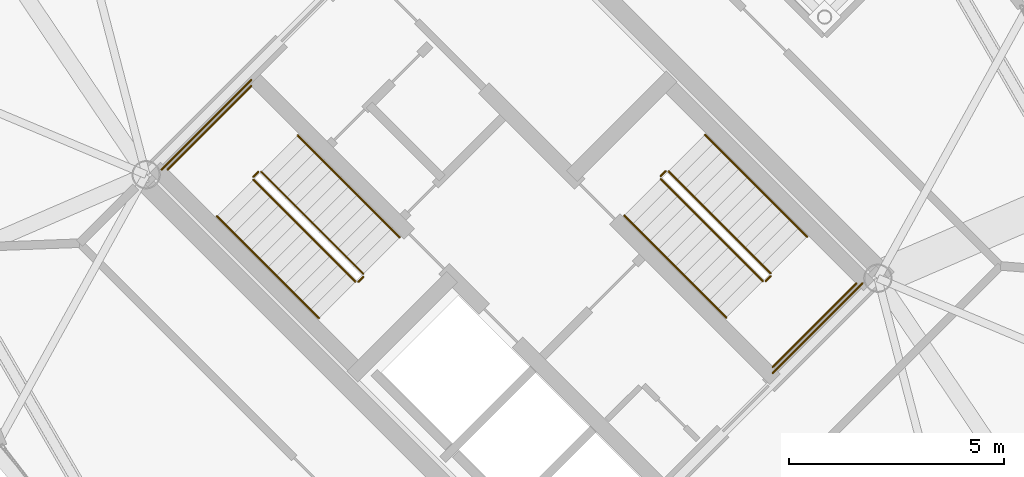
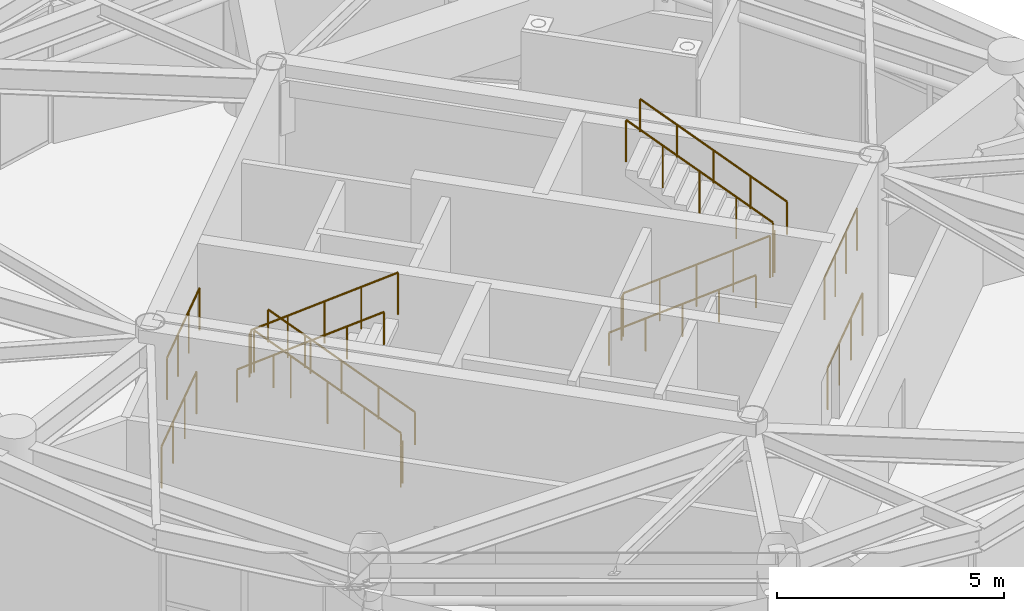
# One storey, part 28 of 28: 16 railings.
"""IFC4 building model written with IfcOpenShell, lengths in metres."""

from ifc_helpers import new_model, si_unit, direction, frame, origin, origin_2d, place, context, subcontext, project, spatial, circle, extrude, material, type_object, element, save


model = new_model("IFC4")

# Units and contexts
model_context = context("Model", 3, precision=1e-05, world=origin(), true_north=direction((0.0, 1.0)))
body_context = subcontext(model_context, "Body", "Model", "MODEL_VIEW")
ifc_project = project(units=[si_unit("LENGTHUNIT", "METRE"), si_unit("AREAUNIT", "SQUARE_METRE"), si_unit("VOLUMEUNIT", "CUBIC_METRE"), si_unit("PLANEANGLEUNIT", "RADIAN"), si_unit("MASSUNIT", "GRAM", prefix="KILO")], contexts=[model_context])

# Site, building, storey
site_placement = place(None, origin())
site = spatial("IfcSite", under=ifc_project, at=site_placement, CompositionType="ELEMENT")
building_placement = place(site_placement, origin())
building = spatial("IfcBuilding", under=site, at=building_placement, Name="Cununo Teusaquillo Station Towers", CompositionType="ELEMENT")
storey_placement = place(building_placement, frame((0.0, 0.0, 235.64990234375)))
storey = spatial("IfcBuildingStorey", under=building, at=storey_placement, Name="L75", CompositionType="ELEMENT", Elevation=235.64990234375)

# Railings
ifc_material_1 = material(Name="Steel EN 10025-2 S355J2", Category="steel")
railing_type_1 = type_object("IfcRailingType", Name="RL-INT-GUARD", PredefinedType="GUARDRAIL", material=ifc_material_1)
railing_1_placement = place(storey_placement, frame((54.03515625, 23.39697265625, 0.18017578125)))
element("IfcRailing", 1, at=railing_1_placement, inside=storey, type_object=railing_type_1, Name="L75 ST-T2-1 stair guard 1", PredefinedType="GUARDRAIL", context=body_context, shape_type="SweptSolid", body=[
    extrude(circle(Radius=0.02392578125, at=origin_2d()), frame((0.0, 0.0, 1.1259765625), z_axis=(-0.594799366365, 0.594799366365, 0.540765593899), x_axis=(-0.707106781187, -0.707106781187, 0.0)), (0.0, 0.0, 1.0), 3.994140625),
    extrude(circle(Radius=0.02099609375, at=origin_2d()), origin(), (0.0, 0.0, 1.0), 1.101806640625),
    extrude(circle(Radius=0.02099609375, at=origin_2d()), frame((-0.593994140625, 0.593994140625, 0.5400390625)), (0.0, 0.0, 1.0), 1.101806640625),
    extrude(circle(Radius=0.02099609375, at=origin_2d()), frame((-1.18798828125, 1.18798828125, 1.080078125)), (0.0, 0.0, 1.0), 1.101806640625),
    extrude(circle(Radius=0.02099609375, at=origin_2d()), frame((-1.78173828125, 1.78173828125, 1.619873046875)), (0.0, 0.0, 1.0), 1.101806640625),
    extrude(circle(Radius=0.02099609375, at=origin_2d()), frame((-2.375732421875, 2.375732421875, 2.159912109375)), (0.0, 0.0, 1.0), 1.101806640625),
])
railing_2_placement = place(storey_placement, frame((51.588623046875, 25.772705078125, 2.340087890625)))
element("IfcRailing", 2, at=railing_2_placement, inside=storey, type_object=railing_type_1, Name="L75 ST-T2-1 stair guard 2", PredefinedType="GUARDRAIL", context=body_context, shape_type="SweptSolid", body=[
    extrude(circle(Radius=0.02392578125, at=origin_2d()), frame((0.0, 0.0, 1.1259765625), z_axis=(-0.707106781187, -0.707106781187, 0.0), x_axis=(0.707106781187, -0.707106781187, 0.0)), (0.0, 0.0, 1.0), 0.159912109375),
    extrude(circle(Radius=0.02099609375, at=origin_2d()), origin(), (0.0, 0.0, 1.0), 1.101806640625),
    extrude(circle(Radius=0.02099609375, at=origin_2d()), frame((-0.113037109375, -0.113037109375, 0.0)), (0.0, 0.0, 1.0), 1.101806640625),
])
railing_3_placement = place(storey_placement, frame((51.426025390625, 27.77392578125, 2.340087890625)))
element("IfcRailing", 3, at=railing_3_placement, inside=storey, type_object=railing_type_1, Name="L75 ST-T2-1 stair guard 3", PredefinedType="GUARDRAIL", context=body_context, shape_type="SweptSolid", body=[
    extrude(circle(Radius=0.02392578125, at=origin_2d()), frame((0.0, 0.0, 1.1259765625), z_axis=(-0.707106781187, -0.707106781187, 0.0), x_axis=(0.707106781187, -0.707106781187, 0.0)), (0.0, 0.0, 1.0), 2.760009765625),
    extrude(circle(Radius=0.02099609375, at=origin_2d()), origin(), (0.0, 0.0, 1.0), 1.101806640625),
    extrude(circle(Radius=0.02099609375, at=origin_2d()), frame((-0.650634765625, -0.650634765625, 0.0)), (0.0, 0.0, 1.0), 1.101806640625),
    extrude(circle(Radius=0.02099609375, at=origin_2d()), frame((-1.301025390625, -1.301025390625, 0.0)), (0.0, 0.0, 1.0), 1.101806640625),
    extrude(circle(Radius=0.02099609375, at=origin_2d()), frame((-1.95166015625, -1.95166015625, 0.0)), (0.0, 0.0, 1.0), 1.101806640625),
])
railing_4_placement = place(storey_placement, frame((51.4755859375, 25.5888671875, 2.52001953125)))
element("IfcRailing", 4, at=railing_4_placement, inside=storey, type_object=railing_type_1, Name="L75 ST-T2-1 stair guard 4", PredefinedType="GUARDRAIL", context=body_context, shape_type="SweptSolid", body=[
    extrude(circle(Radius=0.02392578125, at=origin_2d()), frame((0.0, 0.0, 1.1259765625), z_axis=(0.594779705818, -0.594779705818, 0.540808841545), x_axis=(0.707106781187, 0.707106781187, 0.0)), (0.0, 0.0, 1.0), 3.994384765625),
    extrude(circle(Radius=0.02099609375, at=origin_2d()), origin(), (0.0, 0.0, 1.0), 1.101806640625),
    extrude(circle(Radius=0.02099609375, at=origin_2d()), frame((0.593994140625, -0.593994140625, 0.5400390625)), (0.0, 0.0, 1.0), 1.101806640625),
    extrude(circle(Radius=0.02099609375, at=origin_2d()), frame((1.18798828125, -1.18798828125, 1.080078125)), (0.0, 0.0, 1.0), 1.101806640625),
    extrude(circle(Radius=0.02099609375, at=origin_2d()), frame((1.78173828125, -1.78173828125, 1.6201171875)), (0.0, 0.0, 1.0), 1.101806640625),
    extrude(circle(Radius=0.02099609375, at=origin_2d()), frame((2.375732421875, -2.375732421875, 2.16015625)), (0.0, 0.0, 1.0), 1.101806640625),
])
railing_5_placement = place(storey_placement, frame((54.03515625, 23.326171875, 0.0)))
element("IfcRailing", 5, at=railing_5_placement, inside=storey, type_object=railing_type_1, Name="L75 ST-T2-1 stair guard 5", PredefinedType="GUARDRAIL", context=body_context, shape_type="SweptSolid", body=[
    extrude(circle(Radius=0.02392578125, at=origin_2d()), frame((0.0, 0.0, 1.1259765625), z_axis=(-0.707106781187, -0.707106781187, 0.0), x_axis=(0.707106781187, -0.707106781187, 0.0)), (0.0, 0.0, 1.0), 0.159912109375),
    extrude(circle(Radius=0.02099609375, at=origin_2d()), origin(), (0.0, 0.0, 1.0), 1.101806640625),
    extrude(circle(Radius=0.02099609375, at=origin_2d()), frame((-0.113037109375, -0.113037109375, 0.0)), (0.0, 0.0, 1.0), 1.101806640625),
])
railing_6_placement = place(storey_placement, frame((51.426025390625, 27.915283203125, 0.0)))
element("IfcRailing", 6, at=railing_6_placement, inside=storey, type_object=railing_type_1, Name="L75 ST-T2-1 stair guard 6", PredefinedType="GUARDRAIL", context=body_context, shape_type="SweptSolid", body=[
    extrude(circle(Radius=0.02392578125, at=origin_2d()), frame((0.0, 0.0, 1.1259765625), z_axis=(-0.707106781187, -0.707106781187, 0.0), x_axis=(0.707106781187, -0.707106781187, 0.0)), (0.0, 0.0, 1.0), 2.9599609375),
    extrude(circle(Radius=0.02099609375, at=origin_2d()), origin(), (0.0, 0.0, 1.0), 1.101806640625),
    extrude(circle(Radius=0.02099609375, at=origin_2d()), frame((-0.69775390625, -0.69775390625, 0.0)), (0.0, 0.0, 1.0), 1.101806640625),
    extrude(circle(Radius=0.02099609375, at=origin_2d()), frame((-1.395263671875, -1.395263671875, 0.0)), (0.0, 0.0, 1.0), 1.101806640625),
    extrude(circle(Radius=0.02099609375, at=origin_2d()), frame((-2.093017578125, -2.093017578125, 0.0)), (0.0, 0.0, 1.0), 1.101806640625),
])
railing_7_placement = place(storey_placement, frame((60.96484375, 25.60302734375, 0.18017578125)))
element("IfcRailing", 7, at=railing_7_placement, inside=storey, type_object=railing_type_1, Name="L75 ST-T2-2 stair guard 1", PredefinedType="GUARDRAIL", context=body_context, shape_type="SweptSolid", body=[
    extrude(circle(Radius=0.02392578125, at=origin_2d()), frame((0.0, 0.0, 1.1259765625), z_axis=(0.594799366365, -0.594799366365, 0.540765593899), x_axis=(0.707106781187, 0.707106781187, 0.0)), (0.0, 0.0, 1.0), 3.994140625),
    extrude(circle(Radius=0.02099609375, at=origin_2d()), origin(), (0.0, 0.0, 1.0), 1.101806640625),
    extrude(circle(Radius=0.02099609375, at=origin_2d()), frame((0.593994140625, -0.593994140625, 0.5400390625)), (0.0, 0.0, 1.0), 1.101806640625),
    extrude(circle(Radius=0.02099609375, at=origin_2d()), frame((1.18798828125, -1.18798828125, 1.080078125)), (0.0, 0.0, 1.0), 1.101806640625),
    extrude(circle(Radius=0.02099609375, at=origin_2d()), frame((1.78173828125, -1.78173828125, 1.619873046875)), (0.0, 0.0, 1.0), 1.101806640625),
    extrude(circle(Radius=0.02099609375, at=origin_2d()), frame((2.375732421875, -2.375732421875, 2.159912109375)), (0.0, 0.0, 1.0), 1.101806640625),
])
railing_8_placement = place(storey_placement, frame((63.411376953125, 23.227294921875, 2.340087890625)))
element("IfcRailing", 8, at=railing_8_placement, inside=storey, type_object=railing_type_1, Name="L75 ST-T2-2 stair guard 2", PredefinedType="GUARDRAIL", context=body_context, shape_type="SweptSolid", body=[
    extrude(circle(Radius=0.02392578125, at=origin_2d()), frame((0.0, 0.0, 1.1259765625), z_axis=(0.707106781187, 0.707106781187, 0.0), x_axis=(-0.707106781187, 0.707106781187, 0.0)), (0.0, 0.0, 1.0), 0.159912109375),
    extrude(circle(Radius=0.02099609375, at=origin_2d()), origin(), (0.0, 0.0, 1.0), 1.101806640625),
    extrude(circle(Radius=0.02099609375, at=origin_2d()), frame((0.113037109375, 0.113037109375, 0.0)), (0.0, 0.0, 1.0), 1.101806640625),
])
railing_9_placement = place(storey_placement, frame((63.573974609375, 21.22607421875, 2.340087890625)))
element("IfcRailing", 9, at=railing_9_placement, inside=storey, type_object=railing_type_1, Name="L75 ST-T2-2 stair guard 3", PredefinedType="GUARDRAIL", context=body_context, shape_type="SweptSolid", body=[
    extrude(circle(Radius=0.02392578125, at=origin_2d()), frame((0.0, 0.0, 1.1259765625), z_axis=(0.707106781187, 0.707106781187, 0.0), x_axis=(-0.707106781187, 0.707106781187, 0.0)), (0.0, 0.0, 1.0), 2.760009765625),
    extrude(circle(Radius=0.02099609375, at=origin_2d()), origin(), (0.0, 0.0, 1.0), 1.101806640625),
    extrude(circle(Radius=0.02099609375, at=origin_2d()), frame((0.650634765625, 0.650634765625, 0.0)), (0.0, 0.0, 1.0), 1.101806640625),
    extrude(circle(Radius=0.02099609375, at=origin_2d()), frame((1.301025390625, 1.301025390625, 0.0)), (0.0, 0.0, 1.0), 1.101806640625),
    extrude(circle(Radius=0.02099609375, at=origin_2d()), frame((1.95166015625, 1.95166015625, 0.0)), (0.0, 0.0, 1.0), 1.101806640625),
])
railing_10_placement = place(storey_placement, frame((63.5244140625, 23.4111328125, 2.52001953125)))
element("IfcRailing", 10, at=railing_10_placement, inside=storey, type_object=railing_type_1, Name="L75 ST-T2-2 stair guard 4", PredefinedType="GUARDRAIL", context=body_context, shape_type="SweptSolid", body=[
    extrude(circle(Radius=0.02392578125, at=origin_2d()), frame((0.0, 0.0, 1.1259765625), z_axis=(-0.594779705818, 0.594779705818, 0.540808841545), x_axis=(-0.707106781187, -0.707106781187, 0.0)), (0.0, 0.0, 1.0), 3.994384765625),
    extrude(circle(Radius=0.02099609375, at=origin_2d()), origin(), (0.0, 0.0, 1.0), 1.101806640625),
    extrude(circle(Radius=0.02099609375, at=origin_2d()), frame((-0.593994140625, 0.593994140625, 0.5400390625)), (0.0, 0.0, 1.0), 1.101806640625),
    extrude(circle(Radius=0.02099609375, at=origin_2d()), frame((-1.18798828125, 1.18798828125, 1.080078125)), (0.0, 0.0, 1.0), 1.101806640625),
    extrude(circle(Radius=0.02099609375, at=origin_2d()), frame((-1.78173828125, 1.78173828125, 1.6201171875)), (0.0, 0.0, 1.0), 1.101806640625),
    extrude(circle(Radius=0.02099609375, at=origin_2d()), frame((-2.375732421875, 2.375732421875, 2.16015625)), (0.0, 0.0, 1.0), 1.101806640625),
])
railing_11_placement = place(storey_placement, frame((60.96484375, 25.673828125, 0.0)))
element("IfcRailing", 11, at=railing_11_placement, inside=storey, type_object=railing_type_1, Name="L75 ST-T2-2 stair guard 5", PredefinedType="GUARDRAIL", context=body_context, shape_type="SweptSolid", body=[
    extrude(circle(Radius=0.02392578125, at=origin_2d()), frame((0.0, 0.0, 1.1259765625), z_axis=(0.707106781187, 0.707106781187, 0.0), x_axis=(-0.707106781187, 0.707106781187, 0.0)), (0.0, 0.0, 1.0), 0.159912109375),
    extrude(circle(Radius=0.02099609375, at=origin_2d()), origin(), (0.0, 0.0, 1.0), 1.101806640625),
    extrude(circle(Radius=0.02099609375, at=origin_2d()), frame((0.113037109375, 0.113037109375, 0.0)), (0.0, 0.0, 1.0), 1.101806640625),
])
railing_12_placement = place(storey_placement, frame((63.573974609375, 21.084716796875, 0.0)))
element("IfcRailing", 12, at=railing_12_placement, inside=storey, type_object=railing_type_1, Name="L75 ST-T2-2 stair guard 6", PredefinedType="GUARDRAIL", context=body_context, shape_type="SweptSolid", body=[
    extrude(circle(Radius=0.02392578125, at=origin_2d()), frame((0.0, 0.0, 1.1259765625), z_axis=(0.707106781187, 0.707106781187, 0.0), x_axis=(-0.707106781187, 0.707106781187, 0.0)), (0.0, 0.0, 1.0), 2.9599609375),
    extrude(circle(Radius=0.02099609375, at=origin_2d()), origin(), (0.0, 0.0, 1.0), 1.101806640625),
    extrude(circle(Radius=0.02099609375, at=origin_2d()), frame((0.69775390625, 0.69775390625, 0.0)), (0.0, 0.0, 1.0), 1.101806640625),
    extrude(circle(Radius=0.02099609375, at=origin_2d()), frame((1.395263671875, 1.395263671875, 0.0)), (0.0, 0.0, 1.0), 1.101806640625),
    extrude(circle(Radius=0.02099609375, at=origin_2d()), frame((2.093017578125, 2.093017578125, 0.0)), (0.0, 0.0, 1.0), 1.101806640625),
])
ifc_material_2 = material(Name="Steel EN 10025-2 S355J2", Category="steel")
railing_type_2 = type_object("IfcRailingType", Name="RL-INT-HRAIL", PredefinedType="HANDRAIL", material=ifc_material_2)
railing_13_placement = place(storey_placement, frame((54.8837890625, 24.245361328125, 0.18017578125)))
element("IfcRailing", 13, at=railing_13_placement, inside=storey, type_object=railing_type_2, Name="L75 ST-T2-1 stair handrail 1", PredefinedType="HANDRAIL", context=body_context, shape_type="SweptSolid", body=[
    extrude(circle(Radius=0.02392578125, at=origin_2d()), frame((0.0, 0.0, 0.8759765625), z_axis=(-0.594817238801, 0.594817238801, 0.540726275347), x_axis=(-0.707106781187, -0.707106781187, 0.0)), (0.0, 0.0, 1.0), 3.994384765625),
    extrude(circle(Radius=0.02099609375, at=origin_2d()), origin(), (0.0, 0.0, 1.0), 0.851806640625),
    extrude(circle(Radius=0.02099609375, at=origin_2d()), frame((-0.593994140625, 0.593994140625, 0.5400390625)), (0.0, 0.0, 1.0), 0.851806640625),
    extrude(circle(Radius=0.02099609375, at=origin_2d()), frame((-1.18798828125, 1.18798828125, 1.080078125)), (0.0, 0.0, 1.0), 0.851806640625),
    extrude(circle(Radius=0.02099609375, at=origin_2d()), frame((-1.781982421875, 1.781982421875, 1.619873046875)), (0.0, 0.0, 1.0), 0.851806640625),
    extrude(circle(Radius=0.02099609375, at=origin_2d()), frame((-2.3759765625, 2.3759765625, 2.159912109375)), (0.0, 0.0, 1.0), 0.851806640625),
])
railing_14_placement = place(storey_placement, frame((50.626953125, 24.740478515625, 2.52001953125)))
element("IfcRailing", 14, at=railing_14_placement, inside=storey, type_object=railing_type_2, Name="L75 ST-T2-1 stair handrail 2", PredefinedType="HANDRAIL", context=body_context, shape_type="SweptSolid", body=[
    extrude(circle(Radius=0.02392578125, at=origin_2d()), frame((0.0, 0.0, 0.8759765625), z_axis=(0.594797580523, -0.594797580523, 0.540769522448), x_axis=(0.707106781187, 0.707106781187, 0.0)), (0.0, 0.0, 1.0), 3.99462890625),
    extrude(circle(Radius=0.02099609375, at=origin_2d()), origin(), (0.0, 0.0, 1.0), 0.851806640625),
    extrude(circle(Radius=0.02099609375, at=origin_2d()), frame((0.593994140625, -0.593994140625, 0.5400390625)), (0.0, 0.0, 1.0), 0.851806640625),
    extrude(circle(Radius=0.02099609375, at=origin_2d()), frame((1.18798828125, -1.18798828125, 1.080078125)), (0.0, 0.0, 1.0), 0.851806640625),
    extrude(circle(Radius=0.02099609375, at=origin_2d()), frame((1.781982421875, -1.781982421875, 1.6201171875)), (0.0, 0.0, 1.0), 0.851806640625),
    extrude(circle(Radius=0.02099609375, at=origin_2d()), frame((2.3759765625, -2.3759765625, 2.16015625)), (0.0, 0.0, 1.0), 0.851806640625),
])
railing_15_placement = place(storey_placement, frame((60.1162109375, 24.754638671875, 0.18017578125)))
element("IfcRailing", 15, at=railing_15_placement, inside=storey, type_object=railing_type_2, Name="L75 ST-T2-2 stair handrail 1", PredefinedType="HANDRAIL", context=body_context, shape_type="SweptSolid", body=[
    extrude(circle(Radius=0.02392578125, at=origin_2d()), frame((0.0, 0.0, 0.8759765625), z_axis=(0.594817238801, -0.594817238801, 0.540726275347), x_axis=(0.707106781187, 0.707106781187, 0.0)), (0.0, 0.0, 1.0), 3.994384765625),
    extrude(circle(Radius=0.02099609375, at=origin_2d()), origin(), (0.0, 0.0, 1.0), 0.851806640625),
    extrude(circle(Radius=0.02099609375, at=origin_2d()), frame((0.593994140625, -0.593994140625, 0.5400390625)), (0.0, 0.0, 1.0), 0.851806640625),
    extrude(circle(Radius=0.02099609375, at=origin_2d()), frame((1.18798828125, -1.18798828125, 1.080078125)), (0.0, 0.0, 1.0), 0.851806640625),
    extrude(circle(Radius=0.02099609375, at=origin_2d()), frame((1.781982421875, -1.781982421875, 1.619873046875)), (0.0, 0.0, 1.0), 0.851806640625),
    extrude(circle(Radius=0.02099609375, at=origin_2d()), frame((2.3759765625, -2.3759765625, 2.159912109375)), (0.0, 0.0, 1.0), 0.851806640625),
])
railing_16_placement = place(storey_placement, frame((64.373046875, 24.259521484375, 2.52001953125)))
element("IfcRailing", 16, at=railing_16_placement, inside=storey, type_object=railing_type_2, Name="L75 ST-T2-2 stair handrail 2", PredefinedType="HANDRAIL", context=body_context, shape_type="SweptSolid", body=[
    extrude(circle(Radius=0.02392578125, at=origin_2d()), frame((0.0, 0.0, 0.8759765625), z_axis=(-0.594797580523, 0.594797580523, 0.540769522448), x_axis=(-0.707106781187, -0.707106781187, 0.0)), (0.0, 0.0, 1.0), 3.99462890625),
    extrude(circle(Radius=0.02099609375, at=origin_2d()), origin(), (0.0, 0.0, 1.0), 0.851806640625),
    extrude(circle(Radius=0.02099609375, at=origin_2d()), frame((-0.593994140625, 0.593994140625, 0.5400390625)), (0.0, 0.0, 1.0), 0.851806640625),
    extrude(circle(Radius=0.02099609375, at=origin_2d()), frame((-1.18798828125, 1.18798828125, 1.080078125)), (0.0, 0.0, 1.0), 0.851806640625),
    extrude(circle(Radius=0.02099609375, at=origin_2d()), frame((-1.781982421875, 1.781982421875, 1.6201171875)), (0.0, 0.0, 1.0), 0.851806640625),
    extrude(circle(Radius=0.02099609375, at=origin_2d()), frame((-2.3759765625, 2.3759765625, 2.16015625)), (0.0, 0.0, 1.0), 0.851806640625),
])

save(model, "model.ifc")
